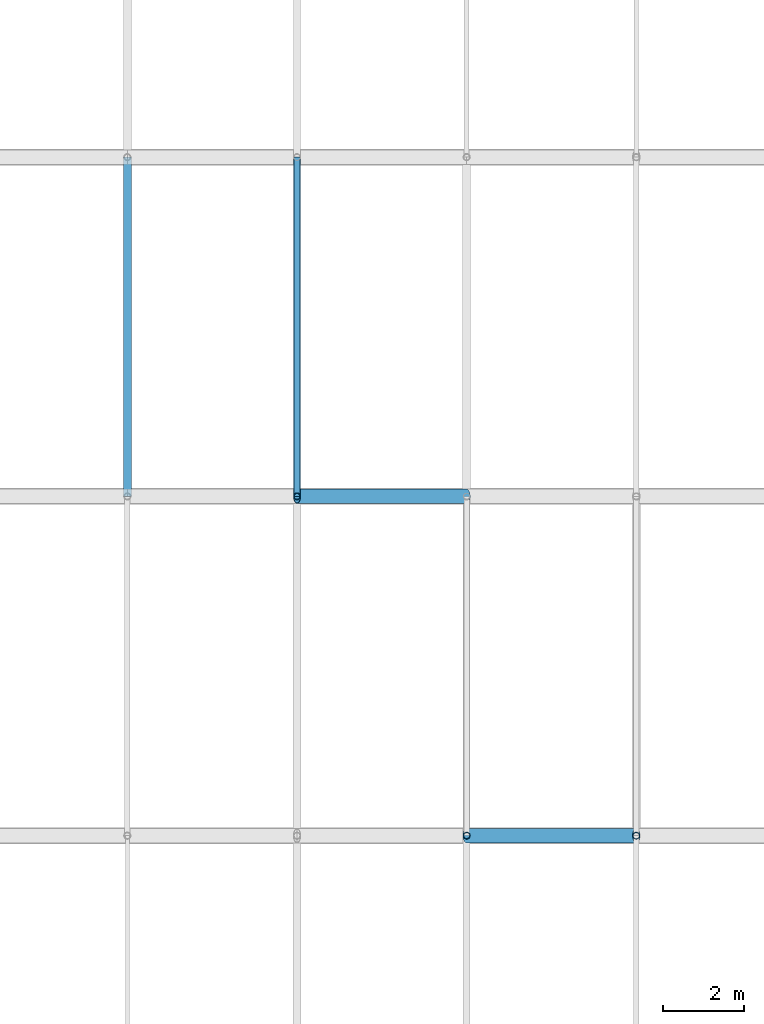
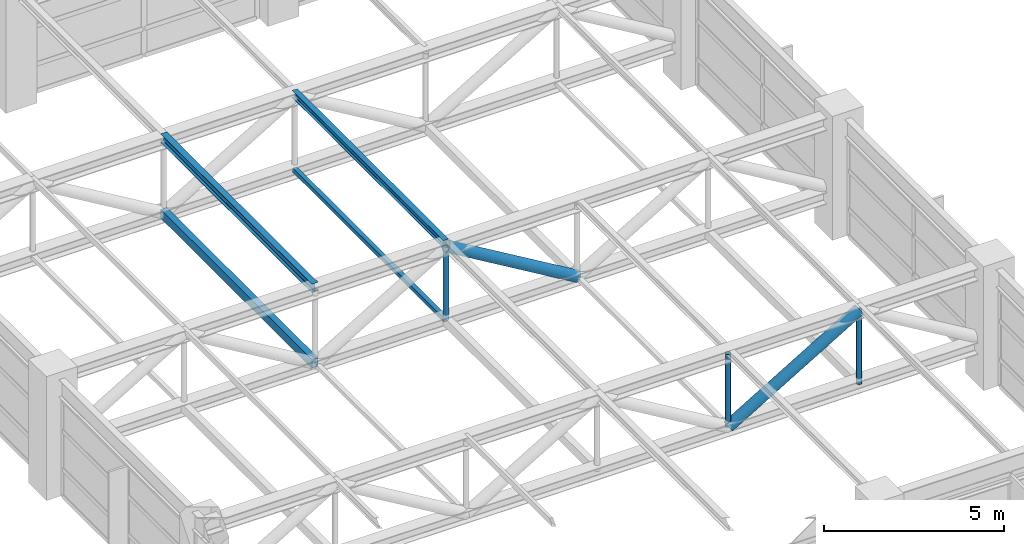
# One storey, part 12 of 32: 9 members.
"""IFC4 building model written with IfcOpenShell, lengths in metres."""

from ifc_helpers import new_model, si_unit, direction, frame, origin, origin_2d, place, context, subcontext, project, spatial, hollow_rectangle, hollow_circle, i_section, extrude, material, material_profile, profile_set, type_object, element, save


model = new_model("IFC4")

# Units and contexts
model_context = context("Model", 3, precision=1e-05, world=origin(), true_north=direction((0.0, 1.0)))
body_context = subcontext(model_context, "Body", "Model", "MODEL_VIEW")
ifc_project = project(units=[si_unit("LENGTHUNIT", "METRE"), si_unit("AREAUNIT", "SQUARE_METRE"), si_unit("VOLUMEUNIT", "CUBIC_METRE"), si_unit("PLANEANGLEUNIT", "RADIAN"), si_unit("MASSUNIT", "GRAM", prefix="KILO")], contexts=[model_context])

# Site, building, storey
site_placement = place(None, origin())
site = spatial("IfcSite", under=ifc_project, at=site_placement, CompositionType="ELEMENT")
building_placement = place(site_placement, origin())
building = spatial("IfcBuilding", under=site, at=building_placement, Name="Xuanlan Plaza Opera House", CompositionType="ELEMENT")
storey_placement = place(building_placement, frame((0.0, 0.0, 40.5)))
storey = spatial("IfcBuildingStorey", under=building, at=storey_placement, Name="L09", CompositionType="ELEMENT", Elevation=40.5)

# Members
ifc_material = material(Name="Steel Q355B", Category="steel")
ifc_material_profile_1 = material_profile(ifc_material, hollow_circle(Radius=0.177734375, WallThickness=0.01611328125, at=origin_2d()), Name="CHS 355.6x16")
ifc_profile_set_1 = profile_set([ifc_material_profile_1], Name="Steel Q355B")
member_type_1 = type_object("IfcMemberType", Name="STR-MEM-BR-02", PredefinedType="BRACE", material=ifc_profile_set_1)
for number, where, z_axis, x_axis, name in (
    (1, (58.800048828125, 50.39990234375, 1.251953125), (0.859290270856, 0.0, 0.511488250512), (0.0, 1.0, 0.0), "Stage Roof Truss STG-01 Web Diagonal 5"),
    (2, (54.60009765625, 58.800048828125, 3.751953125), (0.859290270856, 0.0, -0.511488250512), (0.0, 1.0, 0.0), "Stage Roof Truss STG-02 Web Diagonal 4"),
):
    element("IfcMember", number, at=place(storey_placement, frame(where, z_axis=z_axis, x_axis=x_axis)), inside=storey, type_object=member_type_1, Name=name, PredefinedType="BRACE", context=body_context, shape_type="SweptSolid", body=[
        extrude(hollow_circle(Radius=0.177734375, WallThickness=0.01611328125, at=origin_2d()), origin(), (0.0, 0.0, 1.0), 4.8876953125),
    ])
ifc_material_profile_2 = material_profile(ifc_material, hollow_rectangle(XDim=0.199951171875, YDim=0.300048828125, WallThickness=0.011962890625, at=origin_2d()), Name="RHS 300x200x12")
ifc_profile_set_2 = profile_set([ifc_material_profile_2], Name="Steel Q355B")
member_type_2 = type_object("IfcMemberType", Name="STR-MEM-CL-M1", PredefinedType="COLLAR", material=ifc_profile_set_2)
member_1_placement = place(storey_placement, frame((50.39990234375, 58.800048828125, 1.251953125), z_axis=(0.0, 1.0, 0.0), x_axis=(-1.0, 0.0, 0.0)))
element("IfcMember", 3, at=member_1_placement, inside=storey, type_object=member_type_2, Name="Stage Truss Collar Tie 2-3", PredefinedType="COLLAR", context=body_context, shape_type="SweptSolid", body=[
    extrude(hollow_rectangle(XDim=0.199951171875, YDim=0.300048828125, WallThickness=0.011962890625, at=origin_2d()), origin(), (0.0, 0.0, 1.0), 8.39990234375),
])
ifc_material_profile_3 = material_profile(ifc_material, hollow_rectangle(XDim=0.139892578125, YDim=0.139892578125, WallThickness=0.008056640625, at=origin_2d()), Name="SHS 140x140x8")
ifc_profile_set_3 = profile_set([ifc_material_profile_3], Name="Steel Q355B")
member_type_3 = type_object("IfcMemberType", Name="STR-MEM-CL-M3", PredefinedType="COLLAR", material=ifc_profile_set_3)
member_2_placement = place(storey_placement, frame((54.60009765625, 58.800048828125, 1.251953125), z_axis=(0.0, 1.0, 0.0), x_axis=(-1.0, 0.0, 0.0)))
element("IfcMember", 4, at=member_2_placement, inside=storey, type_object=member_type_3, Name="Stage Truss Collar Tie 2-4", PredefinedType="COLLAR", context=body_context, shape_type="SweptSolid", body=[
    extrude(hollow_rectangle(XDim=0.139892578125, YDim=0.139892578125, WallThickness=0.008056640625, at=origin_2d()), origin(), (0.0, 0.0, 1.0), 8.39990234375),
])
ifc_material_profile_4 = material_profile(ifc_material, i_section(OverallWidth=0.199951171875, OverallDepth=0.2939453125, WebThickness=0.008056640625, FlangeThickness=0.011962890625, FilletRadius=0.01611328125, at=origin_2d()), Name="HM 294x200x8x12")
ifc_profile_set_4 = profile_set([ifc_material_profile_4], Name="Steel Q355B")
member_type_4 = type_object("IfcMemberType", Name="STR-MEM-PR-05", PredefinedType="PURLIN", material=ifc_profile_set_4)
member_3_placement = place(storey_placement, frame((50.39990234375, 58.800048828125, 3.81201171875), z_axis=(0.0, 1.0, 0.0), x_axis=(-1.0, 0.0, 0.0)))
element("IfcMember", 5, at=member_3_placement, inside=storey, type_object=member_type_4, Name="Stage Gridiron Roof Purlin 3-3", PredefinedType="PURLIN", context=body_context, shape_type="SweptSolid", body=[
    extrude(i_section(OverallWidth=0.199951171875, OverallDepth=0.2939453125, WebThickness=0.008056640625, FlangeThickness=0.011962890625, FilletRadius=0.01611328125, at=origin_2d()), origin(), (0.0, 0.0, 1.0), 8.39990234375),
])
ifc_material_profile_5 = material_profile(ifc_material, i_section(OverallWidth=0.175048828125, OverallDepth=0.243896484375, WebThickness=0.007080078125, FlangeThickness=0.010986328125, FilletRadius=0.012939453125, at=origin_2d()), Name="HM 244x175x7x11")
ifc_profile_set_5 = profile_set([ifc_material_profile_5], Name="Steel Q355B")
member_type_5 = type_object("IfcMemberType", Name="STR-MEM-PR-06", PredefinedType="PURLIN", material=ifc_profile_set_5)
member_4_placement = place(storey_placement, frame((54.60009765625, 58.800048828125, 3.8369140625), z_axis=(0.0, 1.0, 0.0), x_axis=(-1.0, 0.0, 0.0)))
element("IfcMember", 6, at=member_4_placement, inside=storey, type_object=member_type_5, Name="Stage Gridiron Roof Purlin 3-4", PredefinedType="PURLIN", context=body_context, shape_type="SweptSolid", body=[
    extrude(i_section(OverallWidth=0.175048828125, OverallDepth=0.243896484375, WebThickness=0.007080078125, FlangeThickness=0.010986328125, FilletRadius=0.012939453125, at=origin_2d()), origin(), (0.0, 0.0, 1.0), 8.39990234375),
])
ifc_material_profile_6 = material_profile(ifc_material, hollow_circle(Radius=0.084228515625, WallThickness=0.008056640625, at=origin_2d()), Name="CHS 168.3x8")
ifc_profile_set_6 = profile_set([ifc_material_profile_6], Name="Steel Q355B")
member_type_6 = type_object("IfcMemberType", Name="STR-MEM-ST-M1", PredefinedType="STRUT", material=ifc_profile_set_6)
for number, where, z_axis, x_axis, name in (
    (7, (58.800048828125, 50.39990234375, 1.251953125), (0.0, 0.0, 1.0), (1.0, 0.0, 0.0), "Stage Roof Truss STG-01 Vertical Strut 4"),
    (8, (63.0, 50.39990234375, 1.251953125), (0.0, 0.0, 1.0), (1.0, 0.0, 0.0), "Stage Roof Truss STG-01 Vertical Strut 5"),
    (9, (54.60009765625, 58.800048828125, 1.251953125), (0.0, 0.0, 1.0), (1.0, 0.0, 0.0), "Stage Roof Truss STG-02 Vertical Strut 3"),
):
    element("IfcMember", number, at=place(storey_placement, frame(where, z_axis=z_axis, x_axis=x_axis)), inside=storey, type_object=member_type_6, Name=name, PredefinedType="STRUT", context=body_context, shape_type="SweptSolid", body=[
        extrude(hollow_circle(Radius=0.084228515625, WallThickness=0.008056640625, at=origin_2d()), origin(), (0.0, 0.0, 1.0), 2.5),
    ])

save(model, "model.ifc")
